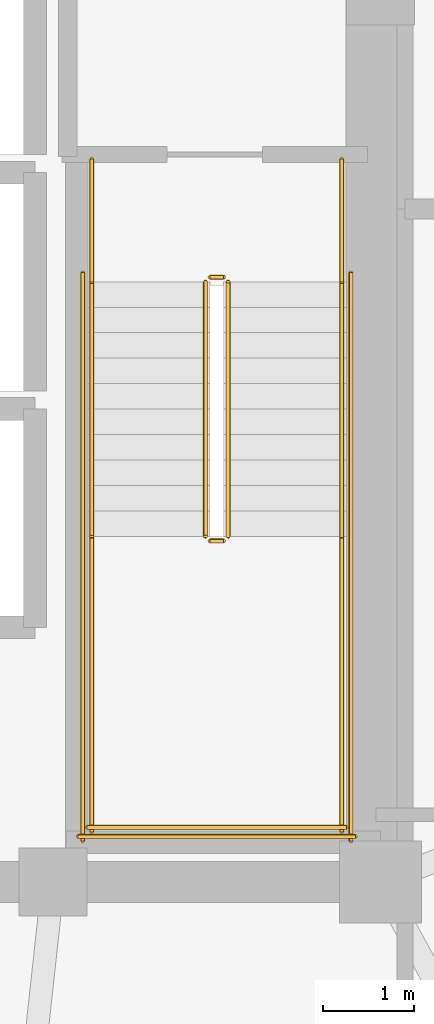
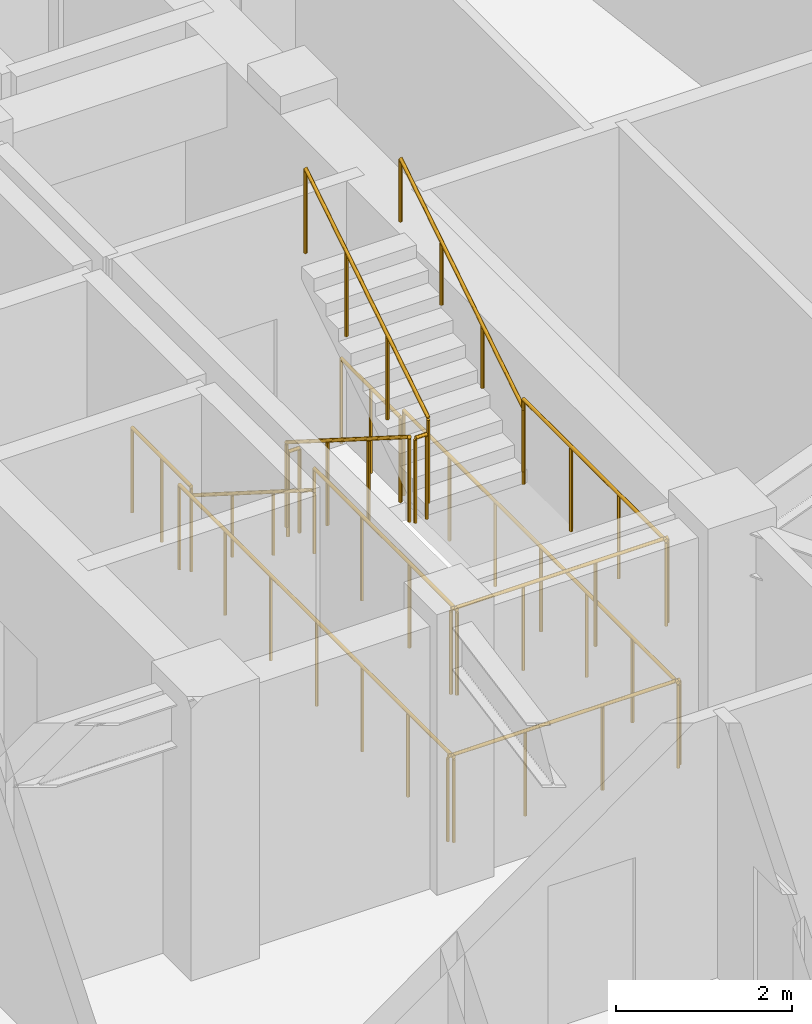
# One storey, part 15 of 15: 14 railings.
"""IFC4 building model written with IfcOpenShell, lengths in metres."""

import ifcopenshell
import ifcopenshell.guid

model = None  # the IFC model being written
_history = None  # IfcOwnerHistory: only IFC2X3 demands one
_inside = {}  # id of a spatial element -> (the spatial element, [elements in it])
_under = {}  # id of a project, library or spatial element -> (it, [spatial elements below it])
_declared = {}  # id of a project -> (the project, [libraries it declares])
_typed = {}  # id of a type object -> (the type object, [elements of that type])
_made_of = {}  # id of a material, layer set ... -> (it, [elements and type objects made of it])


def new_model(schema):
    """Start an empty IFC model of exactly this schema.

    Asked for "IFC4X3", IfcOpenShell would pick the latest addendum, in which some entities
    have other attributes; the version numbers below select the first issue.
    IFC2X3 requires an IfcOwnerHistory on every rooted entity: one is made here for all.
    """
    global model, _history
    if schema == "IFC4X3":
        model = ifcopenshell.file(schema_version=(4, 3, 0, 0))
    else:
        model = ifcopenshell.file(schema=schema)
    _inside.clear()
    _under.clear()
    _declared.clear()
    _typed.clear()
    _made_of.clear()
    _history = None
    if model.schema == "IFC2X3":
        org = make("IfcOrganization", Name="unknown")
        user = make(
            "IfcPersonAndOrganization",
            ThePerson=make("IfcPerson", FamilyName="unknown"),
            TheOrganization=org,
        )
        app = make(
            "IfcApplication",
            ApplicationDeveloper=org,
            Version="unknown",
            ApplicationFullName="unknown",
            ApplicationIdentifier="unknown",
        )
        _history = make(
            "IfcOwnerHistory",
            OwningUser=user,
            OwningApplication=app,
            ChangeAction="ADDED",
            CreationDate=0,
        )
    return model


def make(cls, **values):
    """One entity of the class cls with the attributes given. An attribute that is None is left unset."""
    return model.create_entity(
        cls, **{name: value for name, value in values.items() if value is not None}
    )


def rooted(cls, **values):
    """An entity with a GlobalId (a new one), such as an element, a storey or a relation."""
    return make(cls, GlobalId=ifcopenshell.guid.new(), OwnerHistory=_history, **values)


def si_unit(unit_type, name, prefix=None):
    """IfcSIUnit, for example si_unit("LENGTHUNIT", "METRE", prefix="MILLI")."""
    return make("IfcSIUnit", UnitType=unit_type, Prefix=prefix, Name=name)


def assignment(units):
    """IfcUnitAssignment: the units of a project."""
    return None if units is None else make("IfcUnitAssignment", Units=units)


def point(xyz):
    """IfcCartesianPoint."""
    return None if xyz is None else make("IfcCartesianPoint", Coordinates=xyz)


def direction(xyz):
    """IfcDirection."""
    return None if xyz is None else make("IfcDirection", DirectionRatios=xyz)


def frame(location, z_axis=None, x_axis=None):
    """IfcAxis2Placement3D, a coordinate frame: its origin and axes. An axis left out is left unset."""
    return make(
        "IfcAxis2Placement3D",
        Location=point(location),
        Axis=direction(z_axis),
        RefDirection=direction(x_axis),
    )


def frame_2d(location, x_axis=None):
    """IfcAxis2Placement2D, a coordinate frame in the plane: its origin and x axis."""
    return make(
        "IfcAxis2Placement2D", Location=point(location), RefDirection=direction(x_axis)
    )


def origin():
    """The frame at (0, 0, 0) with its axes left unset."""
    return frame((0.0, 0.0, 0.0))


def origin_2d():
    """The frame at (0, 0) in the plane with its x axis left unset."""
    return frame_2d((0.0, 0.0))


def place(relative_to, where):
    """IfcLocalPlacement: puts the frame where relative to a parent placement (None: the world)."""
    return make(
        "IfcLocalPlacement", PlacementRelTo=relative_to, RelativePlacement=where
    )


def context(
    kind, dimensions, precision=None, world=None, true_north=None, identifier=None
):
    """IfcGeometricRepresentationContext, for example the 3D "Model" context."""
    return make(
        "IfcGeometricRepresentationContext",
        ContextIdentifier=identifier,
        ContextType=kind,
        CoordinateSpaceDimension=dimensions,
        Precision=precision,
        WorldCoordinateSystem=world,
        TrueNorth=true_north,
    )


def subcontext(parent, identifier, kind, view, scale=None):
    """IfcGeometricRepresentationSubContext, for example "Body" below "Model"."""
    return make(
        "IfcGeometricRepresentationSubContext",
        ContextIdentifier=identifier,
        ContextType=kind,
        ParentContext=parent,
        TargetScale=scale,
        TargetView=view,
    )


def project(units=None, contexts=None):
    """IfcProject with its units and contexts."""
    return rooted(
        "IfcProject",
        Name="project",
        RepresentationContexts=contexts,
        UnitsInContext=assignment(units),
    )


def spatial(cls, under=None, at=None, **own):
    """A site, building, storey or space (cls), placed at a placement, below another one or the project."""
    s = rooted(cls, ObjectPlacement=at, **own)
    if under is not None:
        _under.setdefault(under.id(), (under, []))[1].append(s)
    return s


def profile(cls, at=None, kind="AREA", **sizes):
    """A parametric profile (cls). Its sizes go by their IFC names, for example OverallWidth=200.0."""
    return make(cls, ProfileType=kind, Position=at, **sizes)


def circle(**sizes):
    """IfcCircleProfileDef."""
    return profile("IfcCircleProfileDef", **sizes)


def extrude(swept, where, along, depth):
    """IfcExtrudedAreaSolid: the profile swept, set in the frame where, extruded along a direction by depth."""
    return make(
        "IfcExtrudedAreaSolid",
        SweptArea=swept,
        Position=where,
        ExtrudedDirection=direction(along),
        Depth=depth,
    )


def shape(context_of_items, identifier, shape_type, items):
    """IfcShapeRepresentation: the items that make up one representation, for example the "Body"."""
    return make(
        "IfcShapeRepresentation",
        ContextOfItems=context_of_items,
        RepresentationIdentifier=identifier,
        RepresentationType=shape_type,
        Items=items,
    )


def material(Name=None, Category=None):
    """IfcMaterial."""
    return make("IfcMaterial", Name=Name, Category=Category)


def made_of(thing, what):
    """Note that an element or type object is made of a material, layer set ...; save() writes the relation."""
    if what is not None:
        _made_of.setdefault(what.id(), (what, []))[1].append(thing)
    return thing


def type_object(cls, material=None, **own):
    """A type object (cls), such as IfcWallType, which elements share."""
    return made_of(rooted(cls, **own), material)


def element(
    cls,
    number,
    at=None,
    inside=None,
    cuts=None,
    type_object=None,
    material=None,
    context=None,
    identifier="Body",
    shape_type=None,
    held_by="IfcProductDefinitionShape",
    body=None,
    shapes=None,
    **own,
):
    """One element of the class cls, such as IfcWall. Its Tag is "e" and its number.

    at: its placement. inside: the storey or other place that contains it. cuts: it is an
    opening in that element (IfcRelVoidsElement). A single representation is given by context,
    identifier, shape_type and body (its items); several are given by shapes. held_by: the class
    of the entity that holds the representations. save() writes the other relations.
    """
    e = rooted(cls, Tag="e%d" % number, ObjectPlacement=at, **own)
    if body is not None:
        shapes = [shape(context, identifier, shape_type, body)]
    if shapes is not None:
        e.Representation = make(held_by, Representations=shapes)
    if inside is not None:
        _inside.setdefault(inside.id(), (inside, []))[1].append(e)
    if cuts is not None:
        rooted(
            "IfcRelVoidsElement", RelatingBuildingElement=cuts, RelatedOpeningElement=e
        )
    if type_object is not None:
        _typed.setdefault(type_object.id(), (type_object, []))[1].append(e)
    return made_of(e, material)


def aggregate(whole, parts):
    """IfcRelAggregates: a whole, such as a stair, and the parts it consists of."""
    return rooted("IfcRelAggregates", RelatingObject=whole, RelatedObjects=parts)


def save(model, path):
    """Write the relations noted so far, then the file.

    IfcRelAggregates (storeys below a building ...), IfcRelContainedInSpatialStructure (elements
    in a storey), IfcRelDefinesByType, IfcRelAssociatesMaterial and IfcRelDeclares: one each for
    every whole, place, type object, material and project.
    """
    for whole, parts in _under.values():
        aggregate(whole, parts)
    for where, things in _inside.values():
        rooted(
            "IfcRelContainedInSpatialStructure",
            RelatedElements=things,
            RelatingStructure=where,
        )
    for kind, things in _typed.values():
        rooted("IfcRelDefinesByType", RelatedObjects=things, RelatingType=kind)
    for what, things in _made_of.values():
        rooted("IfcRelAssociatesMaterial", RelatedObjects=things, RelatingMaterial=what)
    for by, libraries in _declared.values():
        rooted("IfcRelDeclares", RelatingContext=by, RelatedDefinitions=libraries)
    model.write(path)


model = new_model("IFC4")

# Units and contexts
model_context = context("Model", 3, precision=1e-05, world=origin(), true_north=direction((0.0, 1.0)))
body_context = subcontext(model_context, "Body", "Model", "MODEL_VIEW")
ifc_project = project(units=[si_unit("LENGTHUNIT", "METRE"), si_unit("AREAUNIT", "SQUARE_METRE"), si_unit("VOLUMEUNIT", "CUBIC_METRE"), si_unit("PLANEANGLEUNIT", "RADIAN"), si_unit("MASSUNIT", "GRAM", prefix="KILO")], contexts=[model_context])

# Site, building, storey
site_placement = place(None, origin())
site = spatial("IfcSite", under=ifc_project, at=site_placement, CompositionType="ELEMENT")
building_placement = place(site_placement, origin())
building = spatial("IfcBuilding", under=site, at=building_placement, Name="Voryun Gate Residences", CompositionType="ELEMENT")
storey_placement = place(building_placement, frame((0.0, 0.0, 148.199951171875)))
storey = spatial("IfcBuildingStorey", under=building, at=storey_placement, Name="L36", CompositionType="ELEMENT", Elevation=148.199951171875)

# Railings
ifc_material_1 = material(Name="Painted steel", Category="steel")
railing_type_1 = type_object("IfcRailingType", Name="RAIL_STAIR_GUARD_1200", PredefinedType="GUARDRAIL", material=ifc_material_1)
railing_1_placement = place(storey_placement, frame((17.27490234375, -0.800048828125, 0.17724609375)))
element("IfcRailing", 1, at=railing_1_placement, inside=storey, type_object=railing_type_1, Name="L36 ST-E1 stair guard 1", PredefinedType="GUARDRAIL", context=body_context, shape_type="SweptSolid", body=[
    extrude(circle(Radius=0.02392578125, at=origin_2d()), frame((0.0, 0.0, 1.17578125), z_axis=(0.0, -0.844908973607, 0.534910110503), x_axis=(1.0, 0.0, 0.0)), (0.0, 0.0, 1.0), 3.31396484375),
    extrude(circle(Radius=0.02099609375, at=origin_2d()), origin(), (0.0, 0.0, 1.0), 1.15185546875),
    extrude(circle(Radius=0.02099609375, at=origin_2d()), frame((0.0, -0.933349609375, 0.5908203125)), (0.0, 0.0, 1.0), 1.15185546875),
    extrude(circle(Radius=0.02099609375, at=origin_2d()), frame((0.0, -1.86669921875, 1.181884765625)), (0.0, 0.0, 1.0), 1.15185546875),
    extrude(circle(Radius=0.02099609375, at=origin_2d()), frame((0.0, -2.800048828125, 1.772705078125)), (0.0, 0.0, 1.0), 1.15185546875),
])
railing_2_placement = place(storey_placement, frame((17.324951171875, -3.64990234375, 1.949951171875)))
element("IfcRailing", 2, at=railing_2_placement, inside=storey, type_object=railing_type_1, Name="L36 ST-E1 stair guard 2", PredefinedType="GUARDRAIL", context=body_context, shape_type="SweptSolid", body=[
    extrude(circle(Radius=0.02392578125, at=origin_2d()), frame((0.0, 0.0, 1.17578125), z_axis=(1.0, 0.0, 0.0), x_axis=(0.0, 1.0, 0.0)), (0.0, 0.0, 1.0), 0.150146484375),
    extrude(circle(Radius=0.02099609375, at=origin_2d()), origin(), (0.0, 0.0, 1.0), 1.15185546875),
    extrude(circle(Radius=0.02099609375, at=origin_2d()), frame((0.150146484375, 0.0, 0.0)), (0.0, 0.0, 1.0), 1.15185546875),
])
for number, where, name in (
    (3, (16.02490234375, -3.60009765625, 1.949951171875), "L36 ST-E1 stair guard 3"),
    (4, (18.77490234375, -3.60009765625, 1.949951171875), "L36 ST-E1 stair guard 4"),
):
    element("IfcRailing", number, at=place(storey_placement, frame(where)), inside=storey, type_object=railing_type_1, Name=name, PredefinedType="GUARDRAIL", context=body_context, shape_type="SweptSolid", body=[
        extrude(circle(Radius=0.02392578125, at=origin_2d()), frame((0.0, 0.0, 1.17578125), z_axis=(0.0, -1.0, 0.0), x_axis=(1.0, 0.0, 0.0)), (0.0, 0.0, 1.0), 3.25),
        extrude(circle(Radius=0.02099609375, at=origin_2d()), origin(), (0.0, 0.0, 1.0), 1.15185546875),
        extrude(circle(Radius=0.02099609375, at=origin_2d()), frame((0.0, -1.083251953125, 0.0)), (0.0, 0.0, 1.0), 1.15185546875),
        extrude(circle(Radius=0.02099609375, at=origin_2d()), frame((0.0, -2.166748046875, 0.0)), (0.0, 0.0, 1.0), 1.15185546875),
        extrude(circle(Radius=0.02099609375, at=origin_2d()), frame((0.0, -3.25, 0.0)), (0.0, 0.0, 1.0), 1.15185546875),
    ])
railing_3_placement = place(storey_placement, frame((15.97509765625, -6.800048828125, 1.949951171875)))
element("IfcRailing", 5, at=railing_3_placement, inside=storey, type_object=railing_type_1, Name="L36 ST-E1 stair guard 5", PredefinedType="GUARDRAIL", context=body_context, shape_type="SweptSolid", body=[
    extrude(circle(Radius=0.02392578125, at=origin_2d()), frame((0.0, 0.0, 1.17578125), z_axis=(1.0, 0.0, 0.0), x_axis=(0.0, 1.0, 0.0)), (0.0, 0.0, 1.0), 2.849853515625),
    extrude(circle(Radius=0.02099609375, at=origin_2d()), origin(), (0.0, 0.0, 1.0), 1.15185546875),
    extrude(circle(Radius=0.02099609375, at=origin_2d()), frame((0.949951171875, 0.0, 0.0)), (0.0, 0.0, 1.0), 1.15185546875),
    extrude(circle(Radius=0.02099609375, at=origin_2d()), frame((1.89990234375, 0.0, 0.0)), (0.0, 0.0, 1.0), 1.15185546875),
    extrude(circle(Radius=0.02099609375, at=origin_2d()), frame((2.849853515625, 0.0, 0.0)), (0.0, 0.0, 1.0), 1.15185546875),
])
railing_4_placement = place(storey_placement, frame((17.52490234375, -3.60009765625, 2.12744140625)))
element("IfcRailing", 6, at=railing_4_placement, inside=storey, type_object=railing_type_1, Name="L36 ST-E1 stair guard 6", PredefinedType="GUARDRAIL", context=body_context, shape_type="SweptSolid", body=[
    extrude(circle(Radius=0.02392578125, at=origin_2d()), frame((0.0, 0.0, 1.17578125), z_axis=(0.0, 0.844908973607, 0.534910110503), x_axis=(-1.0, 0.0, 0.0)), (0.0, 0.0, 1.0), 3.31396484375),
    extrude(circle(Radius=0.02099609375, at=origin_2d()), origin(), (0.0, 0.0, 1.0), 1.15185546875),
    extrude(circle(Radius=0.02099609375, at=origin_2d()), frame((0.0, 0.933349609375, 0.5908203125)), (0.0, 0.0, 1.0), 1.15185546875),
    extrude(circle(Radius=0.02099609375, at=origin_2d()), frame((0.0, 1.86669921875, 1.181884765625)), (0.0, 0.0, 1.0), 1.15185546875),
    extrude(circle(Radius=0.02099609375, at=origin_2d()), frame((0.0, 2.800048828125, 1.772705078125)), (0.0, 0.0, 1.0), 1.15185546875),
])
railing_5_placement = place(storey_placement, frame((17.324951171875, -0.75, 0.0)))
element("IfcRailing", 7, at=railing_5_placement, inside=storey, type_object=railing_type_1, Name="L36 ST-E1 stair guard 7", PredefinedType="GUARDRAIL", context=body_context, shape_type="SweptSolid", body=[
    extrude(circle(Radius=0.02392578125, at=origin_2d()), frame((0.0, 0.0, 1.17578125), z_axis=(1.0, 0.0, 0.0), x_axis=(0.0, 1.0, 0.0)), (0.0, 0.0, 1.0), 0.150146484375),
    extrude(circle(Radius=0.02099609375, at=origin_2d()), origin(), (0.0, 0.0, 1.0), 1.15185546875),
    extrude(circle(Radius=0.02099609375, at=origin_2d()), frame((0.150146484375, 0.0, 0.0)), (0.0, 0.0, 1.0), 1.15185546875),
])
for number, where, name in (
    (8, (16.02490234375, 0.550048828125, 0.0), "L36 ST-E1 stair guard 8"),
    (9, (18.77490234375, 0.550048828125, 0.0), "L36 ST-E1 stair guard 9"),
):
    element("IfcRailing", number, at=place(storey_placement, frame(where)), inside=storey, type_object=railing_type_1, Name=name, PredefinedType="GUARDRAIL", context=body_context, shape_type="SweptSolid", body=[
        extrude(circle(Radius=0.02392578125, at=origin_2d()), frame((0.0, 0.0, 1.17578125), z_axis=(0.0, -1.0, 0.0), x_axis=(1.0, 0.0, 0.0)), (0.0, 0.0, 1.0), 1.35009765625),
        extrude(circle(Radius=0.02099609375, at=origin_2d()), origin(), (0.0, 0.0, 1.0), 1.15185546875),
        extrude(circle(Radius=0.02099609375, at=origin_2d()), frame((0.0, -0.675048828125, 0.0)), (0.0, 0.0, 1.0), 1.15185546875),
        extrude(circle(Radius=0.02099609375, at=origin_2d()), frame((0.0, -1.35009765625, 0.0)), (0.0, 0.0, 1.0), 1.15185546875),
    ])
for number, where, name in (
    (10, (15.925048828125, -0.699951171875, 0.0), "L36 ST-E1 stair guard 10"),
    (11, (18.875, -0.699951171875, 0.0), "L36 ST-E1 stair guard 11"),
):
    element("IfcRailing", number, at=place(storey_placement, frame(where)), inside=storey, type_object=railing_type_1, Name=name, PredefinedType="GUARDRAIL", context=body_context, shape_type="SweptSolid", body=[
        extrude(circle(Radius=0.02392578125, at=origin_2d()), frame((0.0, 0.0, 1.17578125), z_axis=(0.0, -1.0, 0.0), x_axis=(1.0, 0.0, 0.0)), (0.0, 0.0, 1.0), 6.25),
        extrude(circle(Radius=0.02099609375, at=origin_2d()), origin(), (0.0, 0.0, 1.0), 1.15185546875),
        extrude(circle(Radius=0.02099609375, at=origin_2d()), frame((0.0, -1.041748046875, 0.0)), (0.0, 0.0, 1.0), 1.15185546875),
        extrude(circle(Radius=0.02099609375, at=origin_2d()), frame((0.0, -2.083251953125, 0.0)), (0.0, 0.0, 1.0), 1.15185546875),
        extrude(circle(Radius=0.02099609375, at=origin_2d()), frame((0.0, -3.125, 0.0)), (0.0, 0.0, 1.0), 1.15185546875),
        extrude(circle(Radius=0.02099609375, at=origin_2d()), frame((0.0, -4.166748046875, 0.0)), (0.0, 0.0, 1.0), 1.15185546875),
        extrude(circle(Radius=0.02099609375, at=origin_2d()), frame((0.0, -5.208251953125, 0.0)), (0.0, 0.0, 1.0), 1.15185546875),
        extrude(circle(Radius=0.02099609375, at=origin_2d()), frame((0.0, -6.25, 0.0)), (0.0, 0.0, 1.0), 1.15185546875),
    ])
railing_6_placement = place(storey_placement, frame((15.875, -6.89990234375, 0.0)))
element("IfcRailing", 12, at=railing_6_placement, inside=storey, type_object=railing_type_1, Name="L36 ST-E1 stair guard 12", PredefinedType="GUARDRAIL", context=body_context, shape_type="SweptSolid", body=[
    extrude(circle(Radius=0.02392578125, at=origin_2d()), frame((0.0, 0.0, 1.17578125), z_axis=(1.0, 0.0, 0.0), x_axis=(0.0, 1.0, 0.0)), (0.0, 0.0, 1.0), 3.050048828125),
    extrude(circle(Radius=0.02099609375, at=origin_2d()), origin(), (0.0, 0.0, 1.0), 1.15185546875),
    extrude(circle(Radius=0.02099609375, at=origin_2d()), frame((1.0166015625, 0.0, 0.0)), (0.0, 0.0, 1.0), 1.15185546875),
    extrude(circle(Radius=0.02099609375, at=origin_2d()), frame((2.033447265625, 0.0, 0.0)), (0.0, 0.0, 1.0), 1.15185546875),
    extrude(circle(Radius=0.02099609375, at=origin_2d()), frame((3.050048828125, 0.0, 0.0)), (0.0, 0.0, 1.0), 1.15185546875),
])
ifc_material_2 = material(Name="Painted steel", Category="steel")
railing_type_2 = type_object("IfcRailingType", Name="RAIL_STAIR_HANDRAIL_900", PredefinedType="HANDRAIL", material=ifc_material_2)
railing_7_placement = place(storey_placement, frame((16.02490234375, -0.800048828125, 0.17724609375)))
element("IfcRailing", 13, at=railing_7_placement, inside=storey, type_object=railing_type_2, Name="L36 ST-E1 stair handrail 1", PredefinedType="HANDRAIL", context=body_context, shape_type="SweptSolid", body=[
    extrude(circle(Radius=0.02392578125, at=origin_2d()), frame((0.0, 0.0, 0.8759765625), z_axis=(0.0, -0.844908973607, 0.534910110503), x_axis=(1.0, 0.0, 0.0)), (0.0, 0.0, 1.0), 3.31396484375),
    extrude(circle(Radius=0.02099609375, at=origin_2d()), origin(), (0.0, 0.0, 1.0), 0.851806640625),
    extrude(circle(Radius=0.02099609375, at=origin_2d()), frame((0.0, -0.933349609375, 0.5908203125)), (0.0, 0.0, 1.0), 0.851806640625),
    extrude(circle(Radius=0.02099609375, at=origin_2d()), frame((0.0, -1.86669921875, 1.181884765625)), (0.0, 0.0, 1.0), 0.851806640625),
    extrude(circle(Radius=0.02099609375, at=origin_2d()), frame((0.0, -2.800048828125, 1.772705078125)), (0.0, 0.0, 1.0), 0.851806640625),
])
railing_8_placement = place(storey_placement, frame((18.77490234375, -3.60009765625, 2.12744140625)))
element("IfcRailing", 14, at=railing_8_placement, inside=storey, type_object=railing_type_2, Name="L36 ST-E1 stair handrail 2", PredefinedType="HANDRAIL", context=body_context, shape_type="SweptSolid", body=[
    extrude(circle(Radius=0.02392578125, at=origin_2d()), frame((0.0, 0.0, 0.8759765625), z_axis=(0.0, 0.844908973607, 0.534910110503), x_axis=(-1.0, 0.0, 0.0)), (0.0, 0.0, 1.0), 3.31396484375),
    extrude(circle(Radius=0.02099609375, at=origin_2d()), origin(), (0.0, 0.0, 1.0), 0.851806640625),
    extrude(circle(Radius=0.02099609375, at=origin_2d()), frame((0.0, 0.933349609375, 0.5908203125)), (0.0, 0.0, 1.0), 0.851806640625),
    extrude(circle(Radius=0.02099609375, at=origin_2d()), frame((0.0, 1.86669921875, 1.181884765625)), (0.0, 0.0, 1.0), 0.851806640625),
    extrude(circle(Radius=0.02099609375, at=origin_2d()), frame((0.0, 2.800048828125, 1.772705078125)), (0.0, 0.0, 1.0), 0.851806640625),
])

save(model, "model.ifc")
